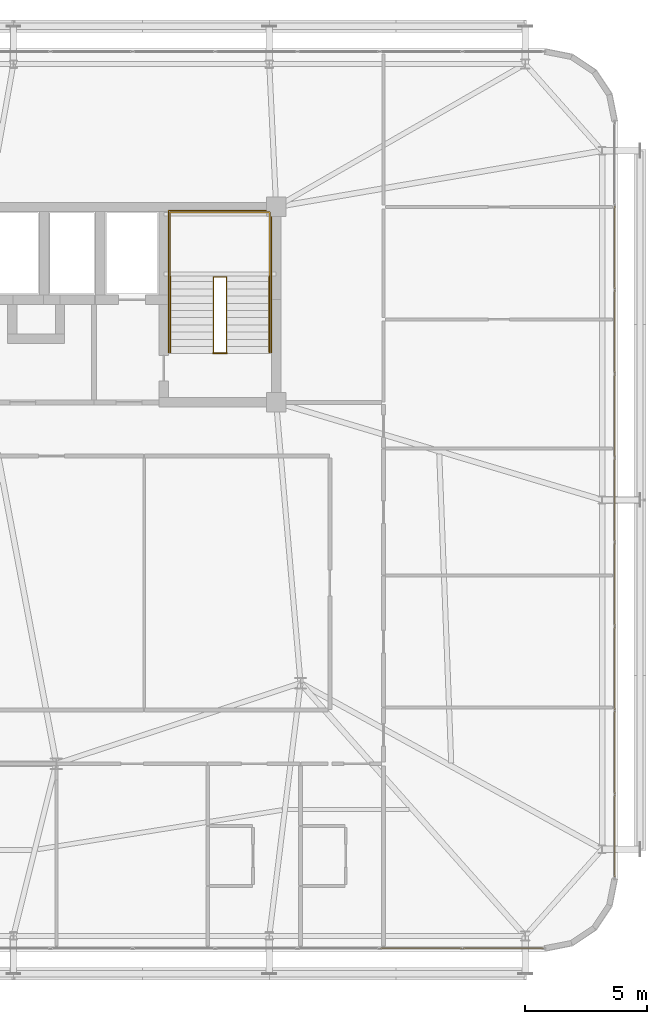
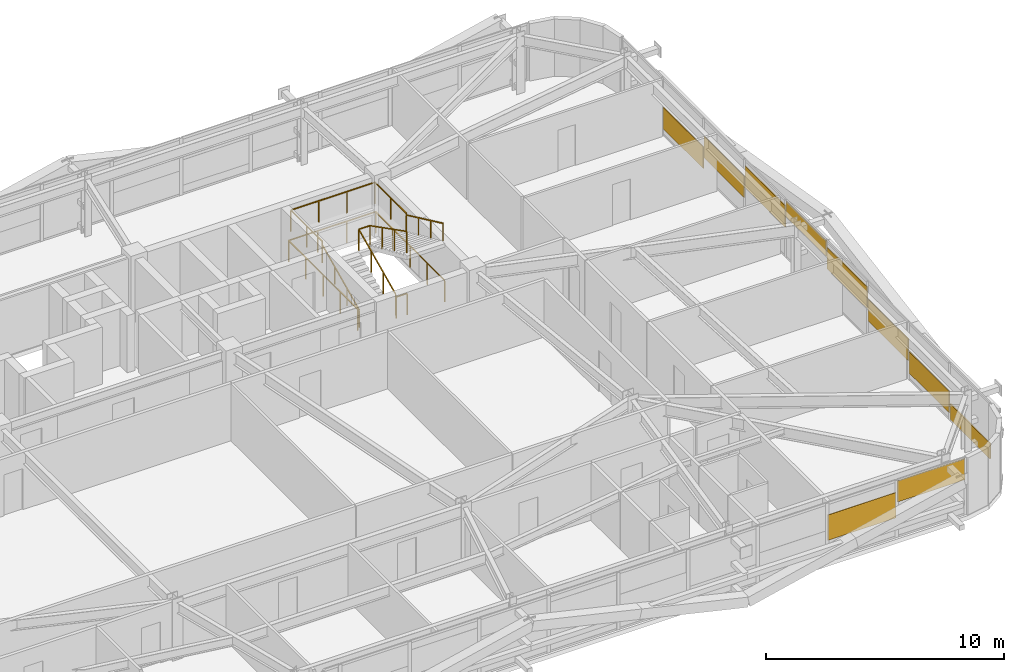
# One storey, part 57 of 58: 10 coverings, 6 railings.
"""IFC4 building model written with IfcOpenShell, lengths in metres."""

from ifc_helpers import new_model, si_unit, direction, frame, origin, origin_2d, place, context, subcontext, project, spatial, rectangle, extrude, source, transform, mapped, material, layer, layer_set, type_object, element, save


model = new_model("IFC4")

# Units and contexts
model_context = context("Model", 3, precision=1e-05, world=origin(), true_north=direction((0.0, 1.0)))
body_context = subcontext(model_context, "Body", "Model", "MODEL_VIEW")
ifc_project = project(units=[si_unit("LENGTHUNIT", "METRE"), si_unit("AREAUNIT", "SQUARE_METRE"), si_unit("VOLUMEUNIT", "CUBIC_METRE"), si_unit("PLANEANGLEUNIT", "RADIAN"), si_unit("MASSUNIT", "GRAM", prefix="KILO")], contexts=[model_context])

# Site, building, storey
site_placement = place(None, origin())
site = spatial("IfcSite", under=ifc_project, at=site_placement, CompositionType="ELEMENT")
building_placement = place(site_placement, origin())
building = spatial("IfcBuilding", under=site, at=building_placement, Name="Taldren Reach Tower", CompositionType="ELEMENT")
storey_placement = place(building_placement, frame((0.0, 0.0, 54.60009765625)))
storey = spatial("IfcBuildingStorey", under=building, at=storey_placement, Name="L16", CompositionType="ELEMENT", Elevation=54.60009765625)

# Railings
ifc_material_1 = material(Name="Steel Gr 350 (C350L0)", Category="steel")
ifc_layer_1 = layer(ifc_material_1, 0.050048828125)
ifc_layer_set_1 = layer_set([ifc_layer_1], Name="Steel Gr 350 (C350L0)")
railing_type_1 = type_object("IfcRailingType", Name="RL-STAIR-GR", PredefinedType="GUARDRAIL", material=ifc_layer_set_1)
railing_1_placement = place(storey_placement, frame((46.659912109375, 29.135009765625, 1.574951171875)))
element("IfcRailing", 1, at=railing_1_placement, inside=storey, type_object=railing_type_1, Name="Stair half-landing perimeter guard ST2-L16", PredefinedType="GUARDRAIL", context=body_context, shape_type="SweptSolid", body=[
    extrude(rectangle(XDim=0.047852, YDim=0.047852, at=origin_2d()), frame((0.0, 0.0, 1.09619140625), z_axis=(0.0, 1.0, 0.0), x_axis=(-1.0, 0.0, 0.0)), (0.0, 0.0, 1.0), 2.64501953125),
    extrude(rectangle(XDim=0.047852, YDim=0.047852, at=origin_2d()), frame((0.0, 2.64501953125, 1.09619140625), z_axis=(1.0, 0.0, 0.0), x_axis=(0.0, 1.0, 0.0)), (0.0, 0.0, 1.0), 4.080078125),
    extrude(rectangle(XDim=0.047852, YDim=0.047852, at=origin_2d()), frame((4.080078125, 2.64501953125, 1.09619140625), z_axis=(0.0, -1.0, 0.0), x_axis=(1.0, 0.0, 0.0)), (0.0, 0.0, 1.0), 2.64501953125),
    extrude(rectangle(XDim=0.041992, YDim=0.041992, at=origin_2d()), origin(), (0.0, 0.0, 1.0), 1.072021484375),
    extrude(rectangle(XDim=0.041992, YDim=0.041992, at=origin_2d()), frame((0.0, 1.322509765625, 0.0)), (0.0, 0.0, 1.0), 1.072021484375),
    extrude(rectangle(XDim=0.041992, YDim=0.041992, at=origin_2d()), frame((0.0, 2.64501953125, 0.0)), (0.0, 0.0, 1.0), 1.072021484375),
    extrude(rectangle(XDim=0.041992, YDim=0.041992, at=origin_2d()), frame((1.360107421875, 2.64501953125, 0.0)), (0.0, 0.0, 1.0), 1.072021484375),
    extrude(rectangle(XDim=0.041992, YDim=0.041992, at=origin_2d()), frame((2.719970703125, 2.64501953125, 0.0)), (0.0, 0.0, 1.0), 1.072021484375),
    extrude(rectangle(XDim=0.041992, YDim=0.041992, at=origin_2d()), frame((4.080078125, 2.64501953125, 0.0)), (0.0, 0.0, 1.0), 1.072021484375),
    extrude(rectangle(XDim=0.041992, YDim=0.041992, at=origin_2d()), frame((4.080078125, 1.322509765625, 0.0)), (0.0, 0.0, 1.0), 1.072021484375),
    extrude(rectangle(XDim=0.041992, YDim=0.041992, at=origin_2d()), frame((4.080078125, 0.0, 0.0)), (0.0, 0.0, 1.0), 1.072021484375),
])
railing_2_placement = place(storey_placement, frame((48.429931640625, 26.050048828125, 0.131103515625)))
element("IfcRailing", 2, at=railing_2_placement, inside=storey, type_object=railing_type_1, Name="Stairwell inner guard ST2-L16", PredefinedType="GUARDRAIL", context=body_context, shape_type="SweptSolid", body=[
    extrude(rectangle(XDim=0.047852, YDim=0.047852, at=origin_2d()), frame((0.0, 0.0, 1.09619140625), z_axis=(0.0, 0.905710134349, 0.423897573167), x_axis=(-1.0, 0.0, 0.0)), (0.0, 0.0, 1.0), 3.406005859375),
    extrude(rectangle(XDim=0.047852, YDim=0.047852, at=origin_2d()), frame((0.0, 3.0849609375, 2.5400390625), z_axis=(1.0, 0.0, 0.0), x_axis=(0.0, 1.0, 0.0)), (0.0, 0.0, 1.0), 0.5400390625),
    extrude(rectangle(XDim=0.047852, YDim=0.047852, at=origin_2d()), frame((0.5400390625, 3.0849609375, 2.5400390625), z_axis=(0.0, -0.890645957773, 0.45469745755), x_axis=(1.0, 0.0, 0.0)), (0.0, 0.0, 1.0), 3.463623046875),
    extrude(rectangle(XDim=0.041992, YDim=0.041992, at=origin_2d()), origin(), (0.0, 0.0, 1.0), 1.072021484375),
    extrude(rectangle(XDim=0.041992, YDim=0.041992, at=origin_2d()), frame((0.0, 1.0283203125, 0.481201171875)), (0.0, 0.0, 1.0), 1.072021484375),
    extrude(rectangle(XDim=0.041992, YDim=0.041992, at=origin_2d()), frame((0.0, 2.056640625, 0.962646484375)), (0.0, 0.0, 1.0), 1.072021484375),
    extrude(rectangle(XDim=0.041992, YDim=0.041992, at=origin_2d()), frame((0.0, 3.0849609375, 1.44384765625)), (0.0, 0.0, 1.0), 1.072021484375),
    extrude(rectangle(XDim=0.041992, YDim=0.041992, at=origin_2d()), frame((0.5400390625, 3.0849609375, 1.44384765625)), (0.0, 0.0, 1.0), 1.072021484375),
    extrude(rectangle(XDim=0.041992, YDim=0.041992, at=origin_2d()), frame((0.5400390625, 2.056640625, 1.96875)), (0.0, 0.0, 1.0), 1.072021484375),
    extrude(rectangle(XDim=0.041992, YDim=0.041992, at=origin_2d()), frame((0.5400390625, 1.0283203125, 2.493896484375)), (0.0, 0.0, 1.0), 1.072021484375),
    extrude(rectangle(XDim=0.041992, YDim=0.041992, at=origin_2d()), frame((0.5400390625, 0.0, 3.018798828125)), (0.0, 0.0, 1.0), 1.072021484375),
])
railing_3_placement = place(storey_placement, frame((48.429931640625, 26.010009765625, 0.0)))
element("IfcRailing", 3, at=railing_3_placement, inside=storey, type_object=railing_type_1, Name="Stairwell landing slot guard ST2-L16", PredefinedType="GUARDRAIL", context=body_context, shape_type="SweptSolid", body=[
    extrude(rectangle(XDim=0.047852, YDim=0.047852, at=origin_2d()), frame((0.0, 0.0, 1.09619140625), z_axis=(1.0, 0.0, 0.0), x_axis=(0.0, 1.0, 0.0)), (0.0, 0.0, 1.0), 0.5400390625),
    extrude(rectangle(XDim=0.041992, YDim=0.041992, at=origin_2d()), origin(), (0.0, 0.0, 1.0), 1.072021484375),
    extrude(rectangle(XDim=0.041992, YDim=0.041992, at=origin_2d()), frame((0.5400390625, 0.0, 0.0)), (0.0, 0.0, 1.0), 1.072021484375),
])
railing_4_placement = place(storey_placement, frame((46.590087890625, 26.050048828125, 0.0)))
element("IfcRailing", 4, at=railing_4_placement, inside=storey, type_object=railing_type_1, Name="Stairwell floor opening guard ST2-L16", PredefinedType="GUARDRAIL", context=body_context, shape_type="SweptSolid", body=[
    extrude(rectangle(XDim=0.047852, YDim=0.047852, at=origin_2d()), frame((0.0, 0.0, 1.09619140625), z_axis=(0.0, 1.0, 0.0), x_axis=(-1.0, 0.0, 0.0)), (0.0, 0.0, 1.0), 5.800048828125),
    extrude(rectangle(XDim=0.047852, YDim=0.047852, at=origin_2d()), frame((0.0, 5.800048828125, 1.09619140625), z_axis=(1.0, 0.0, 0.0), x_axis=(0.0, 1.0, 0.0)), (0.0, 0.0, 1.0), 4.219970703125),
    extrude(rectangle(XDim=0.047852, YDim=0.047852, at=origin_2d()), frame((4.219970703125, 5.800048828125, 1.09619140625), z_axis=(0.0, -1.0, 0.0), x_axis=(1.0, 0.0, 0.0)), (0.0, 0.0, 1.0), 5.800048828125),
    extrude(rectangle(XDim=0.041992, YDim=0.041992, at=origin_2d()), origin(), (0.0, 0.0, 1.0), 1.072021484375),
    extrude(rectangle(XDim=0.041992, YDim=0.041992, at=origin_2d()), frame((0.0, 1.449951171875, 0.0)), (0.0, 0.0, 1.0), 1.072021484375),
    extrude(rectangle(XDim=0.041992, YDim=0.041992, at=origin_2d()), frame((0.0, 2.89990234375, 0.0)), (0.0, 0.0, 1.0), 1.072021484375),
    extrude(rectangle(XDim=0.041992, YDim=0.041992, at=origin_2d()), frame((0.0, 4.35009765625, 0.0)), (0.0, 0.0, 1.0), 1.072021484375),
    extrude(rectangle(XDim=0.041992, YDim=0.041992, at=origin_2d()), frame((0.0, 5.800048828125, 0.0)), (0.0, 0.0, 1.0), 1.072021484375),
    extrude(rectangle(XDim=0.041992, YDim=0.041992, at=origin_2d()), frame((1.40673828125, 5.800048828125, 0.0)), (0.0, 0.0, 1.0), 1.072021484375),
    extrude(rectangle(XDim=0.041992, YDim=0.041992, at=origin_2d()), frame((2.813232421875, 5.800048828125, 0.0)), (0.0, 0.0, 1.0), 1.072021484375),
    extrude(rectangle(XDim=0.041992, YDim=0.041992, at=origin_2d()), frame((4.219970703125, 5.800048828125, 0.0)), (0.0, 0.0, 1.0), 1.072021484375),
    extrude(rectangle(XDim=0.041992, YDim=0.041992, at=origin_2d()), frame((4.219970703125, 4.35009765625, 0.0)), (0.0, 0.0, 1.0), 1.072021484375),
    extrude(rectangle(XDim=0.041992, YDim=0.041992, at=origin_2d()), frame((4.219970703125, 2.89990234375, 0.0)), (0.0, 0.0, 1.0), 1.072021484375),
    extrude(rectangle(XDim=0.041992, YDim=0.041992, at=origin_2d()), frame((4.219970703125, 1.449951171875, 0.0)), (0.0, 0.0, 1.0), 1.072021484375),
    extrude(rectangle(XDim=0.041992, YDim=0.041992, at=origin_2d()), frame((4.219970703125, 0.0, 0.0)), (0.0, 0.0, 1.0), 1.072021484375),
])
ifc_material_2 = material(Name="Stainless Steel Gr 316", Category="steel")
ifc_layer_2 = layer(ifc_material_2, 0.048095703125)
ifc_layer_set_2 = layer_set([ifc_layer_2], Name="Stainless Steel Gr 316")
railing_type_2 = type_object("IfcRailingType", Name="RL-STAIR-HR", PredefinedType="HANDRAIL", material=ifc_layer_set_2)
railing_5_placement = place(storey_placement, frame((46.669921875, 26.050048828125, 0.131103515625)))
element("IfcRailing", 5, at=railing_5_placement, inside=storey, type_object=railing_type_2, Name="Stair flight handrail ST2-L16-1", PredefinedType="HANDRAIL", context=body_context, shape_type="SweptSolid", body=[
    extrude(rectangle(XDim=0.047852, YDim=0.047852, at=origin_2d()), frame((0.0, 0.0, 0.89599609375), z_axis=(0.0, 0.905710134349, 0.423897573167), x_axis=(-1.0, 0.0, 0.0)), (0.0, 0.0, 1.0), 3.406005859375),
    extrude(rectangle(XDim=0.041992, YDim=0.041992, at=origin_2d()), origin(), (0.0, 0.0, 1.0), 0.871826171875),
    extrude(rectangle(XDim=0.041992, YDim=0.041992, at=origin_2d()), frame((0.0, 1.0283203125, 0.481201171875)), (0.0, 0.0, 1.0), 0.871826171875),
    extrude(rectangle(XDim=0.041992, YDim=0.041992, at=origin_2d()), frame((0.0, 2.056640625, 0.962646484375)), (0.0, 0.0, 1.0), 0.871826171875),
    extrude(rectangle(XDim=0.041992, YDim=0.041992, at=origin_2d()), frame((0.0, 3.0849609375, 1.44384765625)), (0.0, 0.0, 1.0), 0.871826171875),
])
railing_6_placement = place(storey_placement, frame((50.72998046875, 29.135009765625, 1.7060546875)))
element("IfcRailing", 6, at=railing_6_placement, inside=storey, type_object=railing_type_2, Name="Stair flight handrail ST2-L16-2", PredefinedType="HANDRAIL", context=body_context, shape_type="SweptSolid", body=[
    extrude(rectangle(XDim=0.047852, YDim=0.047852, at=origin_2d()), frame((0.0, 0.0, 0.89599609375), z_axis=(0.0, -0.905710134349, 0.423897573167), x_axis=(1.0, 0.0, 0.0)), (0.0, 0.0, 1.0), 3.406005859375),
    extrude(rectangle(XDim=0.041992, YDim=0.041992, at=origin_2d()), origin(), (0.0, 0.0, 1.0), 0.871826171875),
    extrude(rectangle(XDim=0.041992, YDim=0.041992, at=origin_2d()), frame((0.0, -1.0283203125, 0.481201171875)), (0.0, 0.0, 1.0), 0.871826171875),
    extrude(rectangle(XDim=0.041992, YDim=0.041992, at=origin_2d()), frame((0.0, -2.056640625, 0.962646484375)), (0.0, 0.0, 1.0), 0.871826171875),
    extrude(rectangle(XDim=0.041992, YDim=0.041992, at=origin_2d()), frame((0.0, -3.0849609375, 1.44384765625)), (0.0, 0.0, 1.0), 0.871826171875),
])

# Coverings
ifc_material_3 = material(Name="Pale Champagne Fluoropolymer Aluminium Spandrel Cladding", Category="aluminium")
ifc_layer_3 = layer(ifc_material_3, 0.0439453125)
ifc_layer_set_3 = layer_set([ifc_layer_3], Name="Pale Champagne Fluoropolymer Aluminium Spandrel Cladding")
covering_type = type_object("IfcCoveringType", Name="CV-CLAD-044", PredefinedType="CLADDING", material=ifc_layer_set_3)
shared_shape_1 = source(origin(), body_context, "Body", "SweptSolid", [
    extrude(rectangle(XDim=3.277587890625, YDim=0.0439453125, at=origin_2d()), origin(), (0.0, 0.0, 1.0), 1.081298828125),
])
covering_1_placement = place(storey_placement, frame((60.296142578125, 1.639892578125, 1.79345703125), z_axis=(0.0, 0.0, 1.0), x_axis=(1.0, 0.0, 0.0)))
element("IfcCovering", 7, at=covering_1_placement, inside=storey, type_object=covering_type, Name="Diagrid closure cladding strip CW-2 panel 16.1 1", PredefinedType="CLADDING", context=body_context, shape_type="MappedRepresentation", body=[
    mapped(shared_shape_1, transform((0.0, 0.0, 0.0), scale=1.0)),
])
shared_shape_2 = source(origin(), body_context, "Body", "SweptSolid", [
    extrude(rectangle(XDim=3.31005859375, YDim=0.0439453125, at=origin_2d()), origin(), (0.0, 0.0, 1.0), 1.301025390625),
])
covering_2_placement = place(storey_placement, frame((56.9375, 1.639892578125, 1.01123046875), z_axis=(0.0, 0.0, 1.0), x_axis=(1.0, 0.0, 0.0)))
element("IfcCovering", 8, at=covering_2_placement, inside=storey, type_object=covering_type, Name="Diagrid closure cladding strip CW-2 panel 15.1 1", PredefinedType="CLADDING", context=body_context, shape_type="MappedRepresentation", body=[
    mapped(shared_shape_2, transform((0.0, 0.0, 0.0), scale=1.0)),
])
shared_shape_3 = source(origin(), body_context, "Body", "SweptSolid", [
    extrude(rectangle(XDim=3.37939453125, YDim=0.0439453125, at=origin_2d()), origin(), (0.0, 0.0, 1.0), 1.1015625),
])
for number, where, z_axis, x_axis, name in (
    (9, (64.860107421875, 9.666748046875, 0.34326171875), (0.0, 0.0, 1.0), (0.0, 1.0, 0.0), "Diagrid closure cladding strip CW-2 panel 2.1 1"),
    (10, (64.860107421875, 13.111083984375, 0.928466796875), (0.0, 0.0, 1.0), (0.0, 1.0, 0.0), "Diagrid closure cladding strip CW-2 panel 3.1 1"),
    (11, (64.860107421875, 16.5556640625, 1.513916015625), (0.0, 0.0, 1.0), (0.0, 1.0, 0.0), "Diagrid closure cladding strip CW-2 panel 4.1 1"),
    (12, (64.860107421875, 23.4443359375, 1.513916015625), (0.0, 0.0, 1.0), (0.0, 1.0, 0.0), "Diagrid closure cladding strip CW-2 panel 6.1 1"),
    (13, (64.860107421875, 26.888916015625, 0.928466796875), (0.0, 0.0, 1.0), (0.0, 1.0, 0.0), "Diagrid closure cladding strip CW-2 panel 7.1 1"),
    (14, (64.860107421875, 30.333251953125, 0.34326171875), (0.0, 0.0, 1.0), (0.0, 1.0, 0.0), "Diagrid closure cladding strip CW-2 panel 8.1 1"),
):
    element("IfcCovering", number, at=place(storey_placement, frame(where, z_axis=z_axis, x_axis=x_axis)), inside=storey, type_object=covering_type, Name=name, PredefinedType="CLADDING", context=body_context, shape_type="MappedRepresentation", body=[
        mapped(shared_shape_3, transform((0.0, 0.0, 0.0), scale=1.0)),
    ])
shared_shape_4 = source(origin(), body_context, "Body", "SweptSolid", [
    extrude(rectangle(XDim=3.346923828125, YDim=0.0439453125, at=origin_2d()), origin(), (0.0, 0.0, 1.0), 0.804443359375),
])
covering_3_placement = place(storey_placement, frame((64.860107421875, 6.238525390625, 0.05517578125), z_axis=(0.0, 0.0, 1.0), x_axis=(0.0, 1.0, 0.0)))
element("IfcCovering", 15, at=covering_3_placement, inside=storey, type_object=covering_type, Name="Diagrid closure cladding strip CW-2 panel 1.1 1", PredefinedType="CLADDING", context=body_context, shape_type="MappedRepresentation", body=[
    mapped(shared_shape_4, transform((0.0, 0.0, 0.0), scale=1.0)),
])
shared_shape_5 = source(origin(), body_context, "Body", "SweptSolid", [
    extrude(rectangle(XDim=3.37939453125, YDim=0.0439453125, at=origin_2d()), origin(), (0.0, 0.0, 1.0), 0.77587890625),
])
covering_4_placement = place(storey_placement, frame((64.860107421875, 20.0, 2.09912109375), z_axis=(0.0, 0.0, 1.0), x_axis=(0.0, 1.0, 0.0)))
element("IfcCovering", 16, at=covering_4_placement, inside=storey, type_object=covering_type, Name="Diagrid closure cladding strip CW-2 panel 5.1 1", PredefinedType="CLADDING", context=body_context, shape_type="MappedRepresentation", body=[
    mapped(shared_shape_5, transform((0.0, 0.0, 0.0), scale=1.0)),
])

save(model, "model.ifc")
